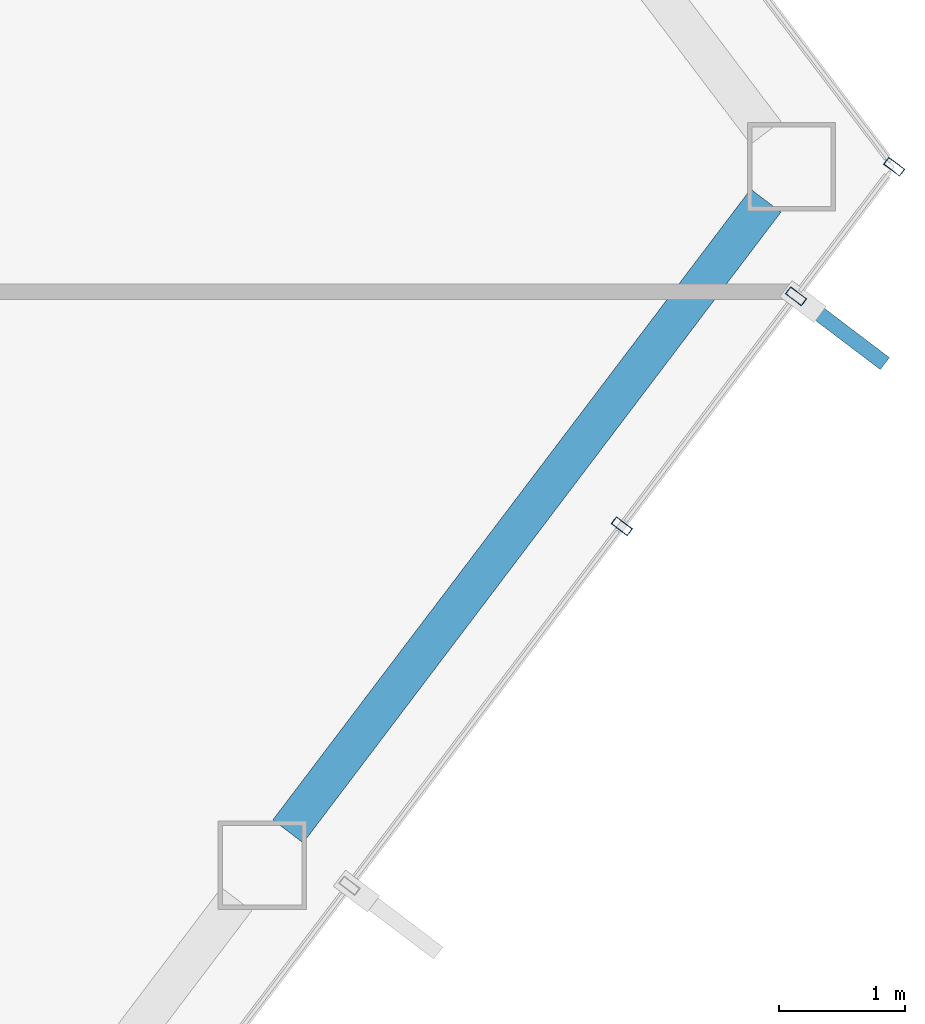
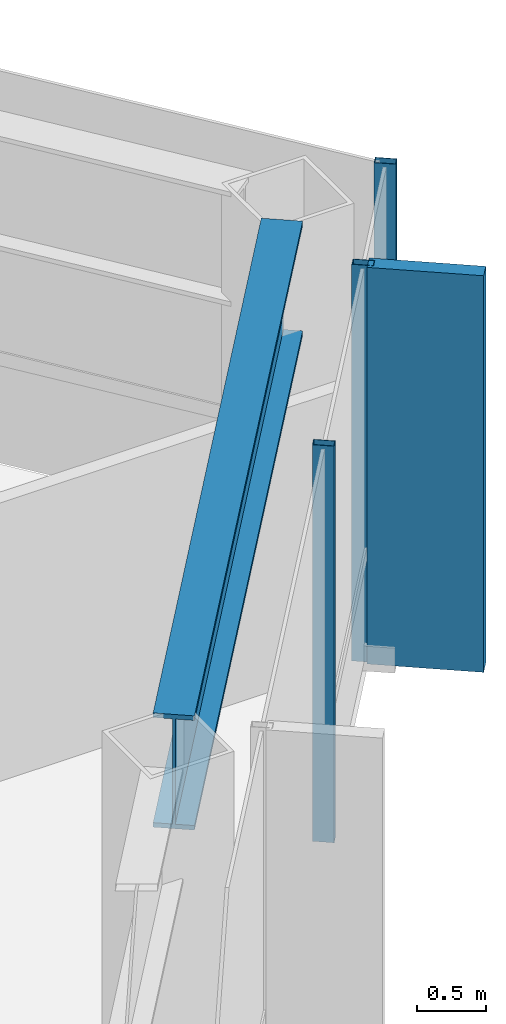
# One storey, part 20 of 27: 4 members, 1 beam, 1 element without a shape of its own.
"""IFC4 building model written with IfcOpenShell, lengths in metres."""

from ifc_helpers import new_model, si_unit, direction, frame, origin, origin_2d, place, context, subcontext, project, spatial, rectangle, hollow_rectangle, i_section, extrude, material, layer, layer_set, material_profile, profile_set, type_object, element, aggregate, save


model = new_model("IFC4")

# Units and contexts
model_context = context("Model", 3, precision=1e-05, world=origin(), true_north=direction((0.0, 1.0)))
body_context = subcontext(model_context, "Body", "Model", "MODEL_VIEW")
ifc_project = project(units=[si_unit("LENGTHUNIT", "METRE"), si_unit("AREAUNIT", "SQUARE_METRE"), si_unit("VOLUMEUNIT", "CUBIC_METRE"), si_unit("PLANEANGLEUNIT", "RADIAN"), si_unit("MASSUNIT", "GRAM", prefix="KILO")], contexts=[model_context])

# Site, building, storey
site_placement = place(None, origin())
site = spatial("IfcSite", under=ifc_project, at=site_placement, CompositionType="ELEMENT")
building_placement = place(site_placement, origin())
building = spatial("IfcBuilding", under=site, at=building_placement, Name="Zarrinselat Tower", CompositionType="ELEMENT")
storey_placement = place(building_placement, frame((0.0, 0.0, 175.780029296875)))
storey = spatial("IfcBuildingStorey", under=building, at=storey_placement, Name="L43", CompositionType="ELEMENT", Elevation=175.780029296875)

# Beam
ifc_material_1 = material(Name="Steel S460M", Category="steel")
ifc_material_profile_1 = material_profile(ifc_material_1, i_section(OverallWidth=0.302001953125, OverallDepth=1.008056640625, WebThickness=0.02099609375, FlangeThickness=0.0400390625, at=origin_2d()), Name="HEM 1000")
ifc_profile_set_1 = profile_set([ifc_material_profile_1], Name="Steel S460M")
beam_type = type_object("IfcBeamType", Name="BM-HEM1000", PredefinedType="BEAM", material=ifc_profile_set_1)
beam_placement = place(storey_placement, frame((58.24951171875, 35.1201171875, 2.995849609375), z_axis=(0.603865167121, 0.797086482094, 0.0), x_axis=(-0.797086482094, 0.603865167121, 0.0)))
element("IfcBeam", 1, at=beam_placement, inside=storey, type_object=beam_type, Name="L43 Perimeter Spandrel Girder SP14", PredefinedType="BEAM", context=body_context, shape_type="SweptSolid", body=[
    extrude(i_section(OverallWidth=0.302001953125, OverallDepth=1.008056640625, WebThickness=0.02099609375, FlangeThickness=0.0400390625, at=origin_2d()), origin(), (0.0, 0.0, 1.0), 6.284912109375),
])

# Curtain wall, members
ifc_material_2 = material(Name="Extruded Aluminium Alloy EN AW-6063 T6", Category="aluminium")
ifc_layer = layer(ifc_material_2, 0.175048828125)
ifc_layer_set = layer_set([ifc_layer], Name="Extruded Aluminium Alloy EN AW-6063 T6")
curtain_wall_type = type_object("IfcCurtainWallType", Name="CWS-HTL", PredefinedType="NOTDEFINED", material=ifc_layer_set)
curtain_wall_placement = place(storey_placement, origin())
curtain_wall = element("IfcCurtainWall", 2, at=curtain_wall_placement, inside=storey, type_object=curtain_wall_type, Name="L43 Unitised Curtain Wall CW-L43-E05", PredefinedType="NOTDEFINED")
ifc_material_3 = material(Name="Extruded Aluminium Alloy EN AW-6063 T6", Category="aluminium")
ifc_material_profile_2 = material_profile(ifc_material_3, hollow_rectangle(XDim=0.070068359375, YDim=0.159912109375, WallThickness=0.00390625, at=origin_2d()), Name="RHS 160x70x4")
ifc_profile_set_2 = profile_set([ifc_material_profile_2], Name="Extruded Aluminium Alloy EN AW-6063 T6")
member_type_1 = type_object("IfcMemberType", Name="MEM-CW-MUL2", PredefinedType="MULLION", material=ifc_profile_set_2)
member_1_placement = place(storey_placement, frame((60.901123046875, 37.54345703125, 0.0), z_axis=(0.0, 0.0, 1.0), x_axis=(0.603859165965, 0.797091028478, 0.0)))
member_1 = element("IfcMember", 3, at=member_1_placement, type_object=member_type_1, Name="CW-L43-E05 Mullion 8", PredefinedType="MULLION", context=body_context, shape_type="SweptSolid", body=[
    extrude(hollow_rectangle(XDim=0.070068359375, YDim=0.159912109375, WallThickness=0.00390625, at=origin_2d()), origin(), (0.0, 0.0, 1.0), 3.5),
])
member_2_placement = place(storey_placement, frame((62.28466796875, 39.369873046875, 0.0), z_axis=(0.0, 0.0, 1.0), x_axis=(0.603859165965, 0.797091028478, 0.0)))
member_2 = element("IfcMember", 4, at=member_2_placement, type_object=member_type_1, Name="CW-L43-E05 Mullion 9", PredefinedType="MULLION", context=body_context, shape_type="SweptSolid", body=[
    extrude(hollow_rectangle(XDim=0.070068359375, YDim=0.159912109375, WallThickness=0.00390625, at=origin_2d()), origin(), (0.0, 0.0, 1.0), 3.5),
])
member_3_placement = place(storey_placement, frame((63.064208984375, 40.39892578125, 0.0), z_axis=(0.0, 0.0, 1.0), x_axis=(0.603859165965, 0.797091028478, 0.0)))
member_3 = element("IfcMember", 5, at=member_3_placement, type_object=member_type_1, Name="CW-L43-E05 Mullion 10", PredefinedType="MULLION", context=body_context, shape_type="SweptSolid", body=[
    extrude(hollow_rectangle(XDim=0.070068359375, YDim=0.159912109375, WallThickness=0.00390625, at=origin_2d()), origin(), (0.0, 0.0, 1.0), 3.5),
])
ifc_material_4 = material(Name="Honed Cream Travertine Stone", Category="masonry")
ifc_material_profile_3 = material_profile(ifc_material_4, rectangle(XDim=0.1201171875, YDim=0.85009765625, at=origin_2d()), Name="FIN 850x120")
ifc_profile_set_3 = profile_set([ifc_material_profile_3], Name="Honed Cream Travertine Stone")
member_type_2 = type_object("IfcMemberType", Name="MEM-STONE-FIN", PredefinedType="USERDEFINED", material=ifc_profile_set_3)
member_4_placement = place(storey_placement, frame((62.6513671875, 39.092041015625, 0.0), z_axis=(0.0, 0.0, 1.0), x_axis=(-0.603859165965, -0.797091028478, 0.0)))
member_4 = element("IfcMember", 6, at=member_4_placement, type_object=member_type_2, Name="L43 Stone Shading Fin CW-L43-E05-09", ObjectType="FIN", PredefinedType="USERDEFINED", context=body_context, shape_type="SweptSolid", body=[
    extrude(rectangle(XDim=0.1201171875, YDim=0.85009765625, at=origin_2d()), origin(), (0.0, 0.0, 1.0), 3.5),
])
aggregate(curtain_wall, [member_1, member_2, member_4, member_3])

save(model, "model.ifc")
